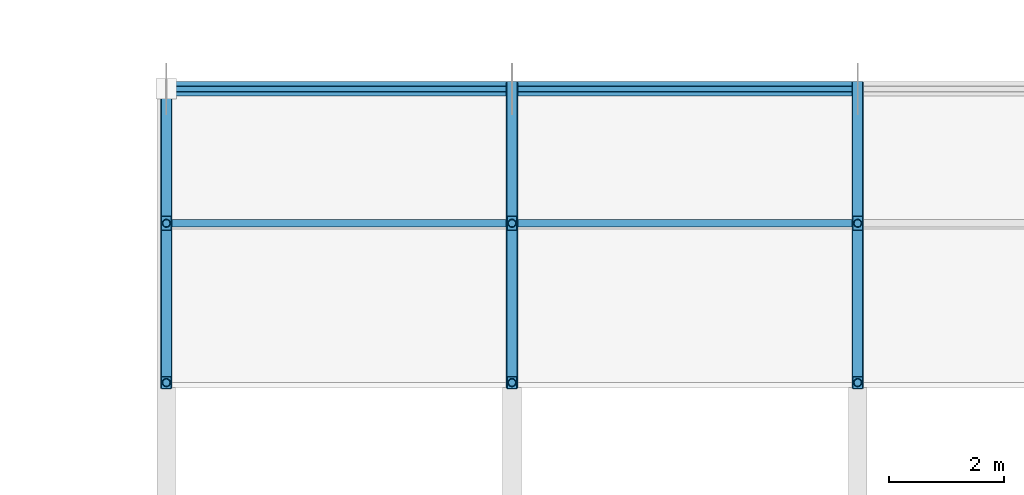
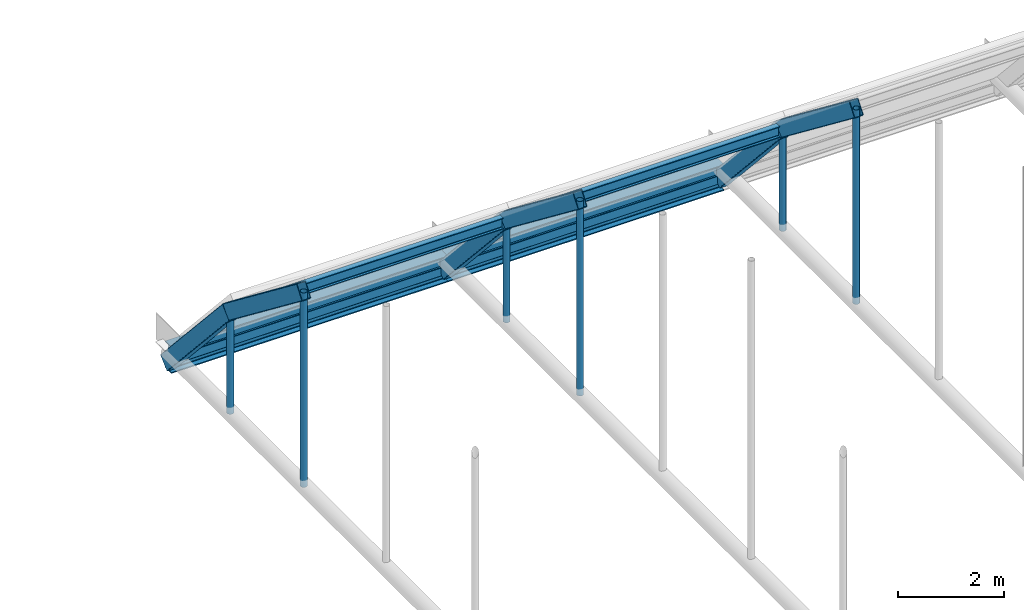
# One storey, part 40 of 116: 10 members, 8 beams.
"""IFC4 building model written with IfcOpenShell, lengths in metres."""

from ifc_helpers import new_model, si_unit, direction, frame, origin, origin_2d, place, context, subcontext, project, spatial, hollow_rectangle, hollow_circle, i_section, extrude, material, material_profile, profile_set, type_object, element, save


model = new_model("IFC4")

# Units and contexts
model_context = context("Model", 3, precision=1e-05, world=origin(), true_north=direction((0.0, 1.0)))
body_context = subcontext(model_context, "Body", "Model", "MODEL_VIEW")
ifc_project = project(units=[si_unit("LENGTHUNIT", "METRE"), si_unit("AREAUNIT", "SQUARE_METRE"), si_unit("VOLUMEUNIT", "CUBIC_METRE"), si_unit("PLANEANGLEUNIT", "RADIAN"), si_unit("MASSUNIT", "GRAM", prefix="KILO")], contexts=[model_context])

# Site, building, storey
site_placement = place(None, origin())
site = spatial("IfcSite", under=ifc_project, at=site_placement, CompositionType="ELEMENT")
building_placement = place(site_placement, origin())
building = spatial("IfcBuilding", under=site, at=building_placement, Name="Varnakota Square Police Headquarters", CompositionType="ELEMENT")
storey_placement = place(building_placement, frame((0.0, 0.0, 9.300048828125)))
storey = spatial("IfcBuildingStorey", under=building, at=storey_placement, Name="L02", CompositionType="ELEMENT", Elevation=9.300048828125)

# Beams
ifc_material = material(Name="Steel IS 2062 Grade 350", Category="steel")
ifc_material_profile_1 = material_profile(ifc_material, i_section(OverallWidth=0.25, OverallDepth=0.60009765625, WebThickness=0.01171875, FlangeThickness=0.023681640625, FilletRadius=0.01708984375, at=origin_2d()), Name="ISWB 600")
ifc_profile_set_1 = profile_set([ifc_material_profile_1], Name="Steel IS 2062 Grade 350")
beam_type_1 = type_object("IfcBeamType", Name="BM-ISWB600", PredefinedType="BEAM", material=ifc_profile_set_1)
for number, where, z_axis, x_axis, name in (
    (1, (54.0, 39.0, -0.300048828125), (1.0, 0.0, 0.0), (0.0, 1.0, 0.0), "Vault V1 north ring beam"),
    (2, (60.0, 39.0, -0.300048828125), (1.0, 0.0, 0.0), (0.0, 1.0, 0.0), "Vault V1 north ring beam"),
):
    element("IfcBeam", number, at=place(storey_placement, frame(where, z_axis=z_axis, x_axis=x_axis)), inside=storey, type_object=beam_type_1, Name=name, PredefinedType="BEAM", context=body_context, shape_type="SweptSolid", body=[
        extrude(i_section(OverallWidth=0.25, OverallDepth=0.60009765625, WebThickness=0.01171875, FlangeThickness=0.023681640625, FilletRadius=0.01708984375, at=origin_2d()), origin(), (0.0, 0.0, 1.0), 6.0),
    ])
ifc_material_profile_2 = material_profile(ifc_material, hollow_rectangle(XDim=0.199951171875, YDim=0.35009765625, WallThickness=0.011962890625, InnerFilletRadius=0.011962890625, OuterFilletRadius=0.02392578125, at=origin_2d()), Name="RHS 350x200x12")
ifc_profile_set_2 = profile_set([ifc_material_profile_2], Name="Steel IS 2062 Grade 350")
beam_type_2 = type_object("IfcBeamType", Name="BM-VR-RHS350", PredefinedType="BEAM", material=ifc_profile_set_2)
beam_1_placement = place(storey_placement, frame((54.0, 33.902099609375, 4.313232421875), z_axis=(0.0, 0.792062306817, -0.610440252703), x_axis=(-1.0, 0.0, 0.0)))
element("IfcBeam", 3, at=beam_1_placement, inside=storey, type_object=beam_type_2, Name="Barrel vault arch rib chord VR-V1-R01-S09", PredefinedType="BEAM", context=body_context, shape_type="SweptSolid", body=[
    extrude(hollow_rectangle(XDim=0.199951171875, YDim=0.35009765625, WallThickness=0.011962890625, InnerFilletRadius=0.011962890625, OuterFilletRadius=0.02392578125, at=origin_2d()), origin(), (0.0, 0.0, 1.0), 3.4921875),
])
beam_2_placement = place(storey_placement, frame((54.0, 36.668212890625, 2.181396484375), z_axis=(0.0, 0.671520631111, -0.740985858159), x_axis=(-1.0, 0.0, 0.0)))
element("IfcBeam", 4, at=beam_2_placement, inside=storey, type_object=beam_type_2, Name="Barrel vault arch rib chord VR-V1-R01-S10", PredefinedType="BEAM", context=body_context, shape_type="SweptSolid", body=[
    extrude(hollow_rectangle(XDim=0.199951171875, YDim=0.35009765625, WallThickness=0.011962890625, InnerFilletRadius=0.011962890625, OuterFilletRadius=0.02392578125, at=origin_2d()), origin(), (0.0, 0.0, 1.0), 3.472412109375),
])
beam_3_placement = place(storey_placement, frame((60.0, 33.902099609375, 4.313232421875), z_axis=(0.0, 0.792062306817, -0.610440252703), x_axis=(-1.0, 0.0, 0.0)))
element("IfcBeam", 5, at=beam_3_placement, inside=storey, type_object=beam_type_2, Name="Barrel vault arch rib chord VR-V1-R02-S09", PredefinedType="BEAM", context=body_context, shape_type="SweptSolid", body=[
    extrude(hollow_rectangle(XDim=0.199951171875, YDim=0.35009765625, WallThickness=0.011962890625, InnerFilletRadius=0.011962890625, OuterFilletRadius=0.02392578125, at=origin_2d()), origin(), (0.0, 0.0, 1.0), 3.4921875),
])
beam_4_placement = place(storey_placement, frame((60.0, 36.668212890625, 2.181396484375), z_axis=(0.0, 0.671520631111, -0.740985858159), x_axis=(-1.0, 0.0, 0.0)))
element("IfcBeam", 6, at=beam_4_placement, inside=storey, type_object=beam_type_2, Name="Barrel vault arch rib chord VR-V1-R02-S10", PredefinedType="BEAM", context=body_context, shape_type="SweptSolid", body=[
    extrude(hollow_rectangle(XDim=0.199951171875, YDim=0.35009765625, WallThickness=0.011962890625, InnerFilletRadius=0.011962890625, OuterFilletRadius=0.02392578125, at=origin_2d()), origin(), (0.0, 0.0, 1.0), 3.472412109375),
])
beam_5_placement = place(storey_placement, frame((66.0, 33.902099609375, 4.313232421875), z_axis=(0.0, 0.792062306817, -0.610440252703), x_axis=(-1.0, 0.0, 0.0)))
element("IfcBeam", 7, at=beam_5_placement, inside=storey, type_object=beam_type_2, Name="Barrel vault arch rib chord VR-V1-R03-S09", PredefinedType="BEAM", context=body_context, shape_type="SweptSolid", body=[
    extrude(hollow_rectangle(XDim=0.199951171875, YDim=0.35009765625, WallThickness=0.011962890625, InnerFilletRadius=0.011962890625, OuterFilletRadius=0.02392578125, at=origin_2d()), origin(), (0.0, 0.0, 1.0), 3.4921875),
])
beam_6_placement = place(storey_placement, frame((66.0, 36.668212890625, 2.181396484375), z_axis=(0.0, 0.671520631111, -0.740985858159), x_axis=(-1.0, 0.0, 0.0)))
element("IfcBeam", 8, at=beam_6_placement, inside=storey, type_object=beam_type_2, Name="Barrel vault arch rib chord VR-V1-R03-S10", PredefinedType="BEAM", context=body_context, shape_type="SweptSolid", body=[
    extrude(hollow_rectangle(XDim=0.199951171875, YDim=0.35009765625, WallThickness=0.011962890625, InnerFilletRadius=0.011962890625, OuterFilletRadius=0.02392578125, at=origin_2d()), origin(), (0.0, 0.0, 1.0), 3.472412109375),
])

# Members
ifc_material_profile_3 = material_profile(ifc_material, hollow_circle(Radius=0.06982421875, WallThickness=0.006103515625, at=origin_2d()), Name="CHS 139.7x6.0")
ifc_profile_set_3 = profile_set([ifc_material_profile_3], Name="Steel IS 2062 Grade 350")
member_type_1 = type_object("IfcMemberType", Name="MEM-HNG-CHS139", PredefinedType="STRUT", material=ifc_profile_set_3)
member_1_placement = place(storey_placement, frame((54.0, 33.902099609375, -0.150146484375), z_axis=(0.0, 0.0, 1.0), x_axis=(1.0, 0.0, 0.0)))
element("IfcMember", 9, at=member_1_placement, inside=storey, type_object=member_type_1, Name="Barrel vault hanger strut V1-R01-N8", PredefinedType="STRUT", context=body_context, shape_type="SweptSolid", body=[
    extrude(hollow_circle(Radius=0.06982421875, WallThickness=0.006103515625, at=origin_2d()), origin(), (0.0, 0.0, 1.0), 4.46337890625),
])
member_2_placement = place(storey_placement, frame((54.0, 36.668212890625, -0.150146484375), z_axis=(0.0, 0.0, 1.0), x_axis=(1.0, 0.0, 0.0)))
element("IfcMember", 10, at=member_2_placement, inside=storey, type_object=member_type_1, Name="Barrel vault hanger strut V1-R01-N9", PredefinedType="STRUT", context=body_context, shape_type="SweptSolid", body=[
    extrude(hollow_circle(Radius=0.06982421875, WallThickness=0.006103515625, at=origin_2d()), origin(), (0.0, 0.0, 1.0), 2.33154296875),
])
member_3_placement = place(storey_placement, frame((60.0, 33.902099609375, -0.150146484375), z_axis=(0.0, 0.0, 1.0), x_axis=(1.0, 0.0, 0.0)))
element("IfcMember", 11, at=member_3_placement, inside=storey, type_object=member_type_1, Name="Barrel vault hanger strut V1-R02-N8", PredefinedType="STRUT", context=body_context, shape_type="SweptSolid", body=[
    extrude(hollow_circle(Radius=0.06982421875, WallThickness=0.006103515625, at=origin_2d()), origin(), (0.0, 0.0, 1.0), 4.46337890625),
])
member_4_placement = place(storey_placement, frame((60.0, 36.668212890625, -0.150146484375), z_axis=(0.0, 0.0, 1.0), x_axis=(1.0, 0.0, 0.0)))
element("IfcMember", 12, at=member_4_placement, inside=storey, type_object=member_type_1, Name="Barrel vault hanger strut V1-R02-N9", PredefinedType="STRUT", context=body_context, shape_type="SweptSolid", body=[
    extrude(hollow_circle(Radius=0.06982421875, WallThickness=0.006103515625, at=origin_2d()), origin(), (0.0, 0.0, 1.0), 2.33154296875),
])
member_5_placement = place(storey_placement, frame((66.0, 33.902099609375, -0.150146484375), z_axis=(0.0, 0.0, 1.0), x_axis=(1.0, 0.0, 0.0)))
element("IfcMember", 13, at=member_5_placement, inside=storey, type_object=member_type_1, Name="Barrel vault hanger strut V1-R03-N8", PredefinedType="STRUT", context=body_context, shape_type="SweptSolid", body=[
    extrude(hollow_circle(Radius=0.06982421875, WallThickness=0.006103515625, at=origin_2d()), origin(), (0.0, 0.0, 1.0), 4.46337890625),
])
member_6_placement = place(storey_placement, frame((66.0, 36.668212890625, -0.150146484375), z_axis=(0.0, 0.0, 1.0), x_axis=(1.0, 0.0, 0.0)))
element("IfcMember", 14, at=member_6_placement, inside=storey, type_object=member_type_1, Name="Barrel vault hanger strut V1-R03-N9", PredefinedType="STRUT", context=body_context, shape_type="SweptSolid", body=[
    extrude(hollow_circle(Radius=0.06982421875, WallThickness=0.006103515625, at=origin_2d()), origin(), (0.0, 0.0, 1.0), 2.33154296875),
])
ifc_material_profile_4 = material_profile(ifc_material, i_section(OverallWidth=0.125, OverallDepth=0.25, WebThickness=0.0068359375, FlangeThickness=0.012451171875, FilletRadius=0.012939453125, at=origin_2d()), Name="ISMB 250")
ifc_profile_set_4 = profile_set([ifc_material_profile_4], Name="Steel IS 2062 Grade 350")
member_type_2 = type_object("IfcMemberType", Name="MEM-PUR-ISMB250", PredefinedType="PURLIN", material=ifc_profile_set_4)
for number, where, z_axis, x_axis, name in (
    (15, (54.0, 36.668212890625, 2.156494140625), (1.0, 0.0, 0.0), (0.0, 1.0, 0.0), "Vault roof purlin V1-B01-N09"),
    (16, (60.0, 36.668212890625, 2.156494140625), (1.0, 0.0, 0.0), (0.0, 1.0, 0.0), "Vault roof purlin V1-B02-N09"),
):
    element("IfcMember", number, at=place(storey_placement, frame(where, z_axis=z_axis, x_axis=x_axis)), inside=storey, type_object=member_type_2, Name=name, PredefinedType="PURLIN", context=body_context, shape_type="SweptSolid", body=[
        extrude(i_section(OverallWidth=0.125, OverallDepth=0.25, WebThickness=0.0068359375, FlangeThickness=0.012451171875, FilletRadius=0.012939453125, at=origin_2d()), origin(), (0.0, 0.0, 1.0), 6.0),
    ])
ifc_material_profile_5 = material_profile(ifc_material, hollow_rectangle(XDim=0.10009765625, YDim=0.199951171875, WallThickness=0.008056640625, InnerFilletRadius=0.008056640625, OuterFilletRadius=0.01611328125, at=origin_2d()), Name="RHS 200x100x8")
ifc_profile_set_5 = profile_set([ifc_material_profile_5], Name="Steel IS 2062 Grade 350")
member_type_3 = type_object("IfcMemberType", Name="MEM-PUR-RHS200", PredefinedType="PURLIN", material=ifc_profile_set_5)
for number, where, z_axis, x_axis, name in (
    (17, (54.0, 39.0, -0.377685546875), (1.0, 0.0, 0.0), (0.0, 1.0, 0.0), "Vault roof purlin V1-B01-N10"),
    (18, (60.0, 39.0, -0.377685546875), (1.0, 0.0, 0.0), (0.0, 1.0, 0.0), "Vault roof purlin V1-B02-N10"),
):
    element("IfcMember", number, at=place(storey_placement, frame(where, z_axis=z_axis, x_axis=x_axis)), inside=storey, type_object=member_type_3, Name=name, PredefinedType="PURLIN", context=body_context, shape_type="SweptSolid", body=[
        extrude(hollow_rectangle(XDim=0.10009765625, YDim=0.199951171875, WallThickness=0.008056640625, InnerFilletRadius=0.008056640625, OuterFilletRadius=0.01611328125, at=origin_2d()), origin(), (0.0, 0.0, 1.0), 6.0),
    ])

save(model, "model.ifc")
